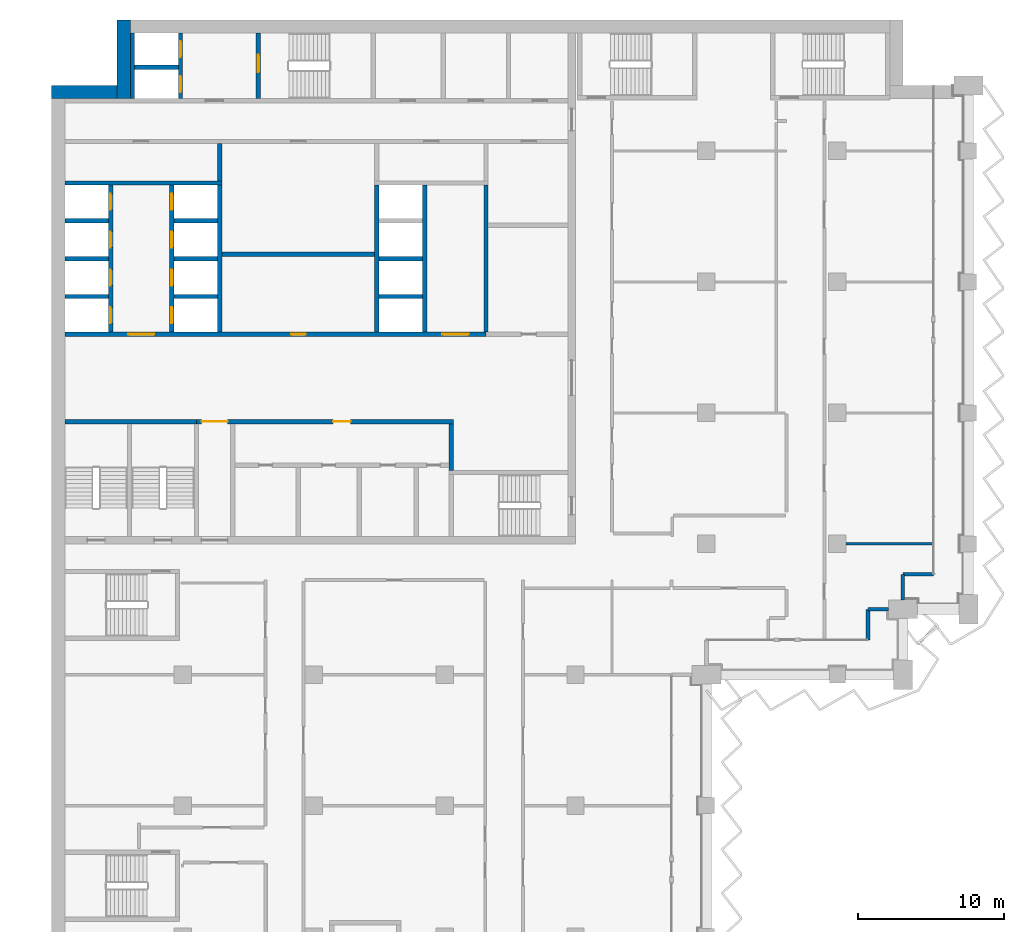
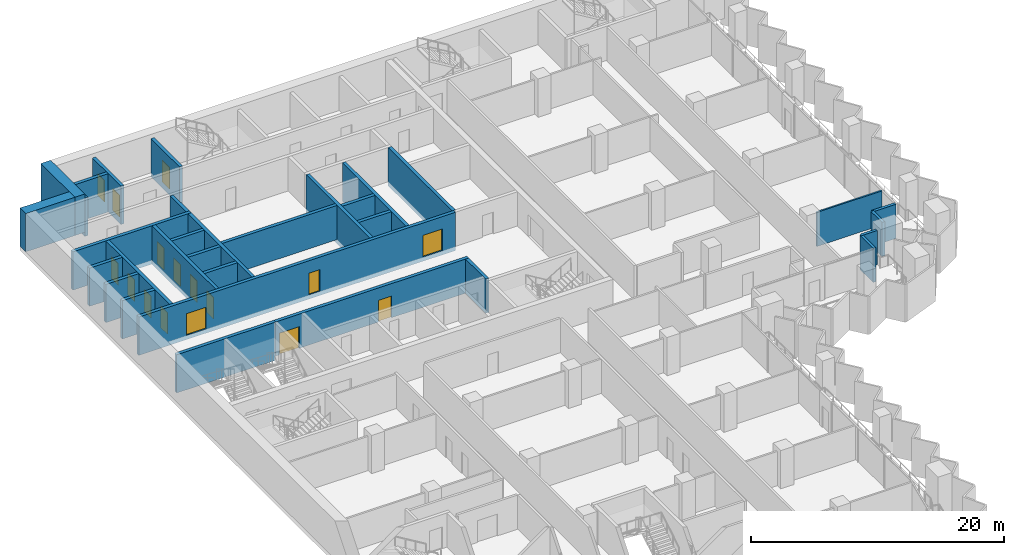
# One storey, part 12 of 22: 32 walls, 16 doors, 16 openings.
"""IFC4 building model written with IfcOpenShell, lengths in metres."""

from ifc_helpers import new_model, si_unit, direction, frame, frame_2d, origin, place, context, subcontext, project, spatial, rectangle, extrude, material, layer, layer_set, type_object, element, fill, save


model = new_model("IFC4")

# Units and contexts
model_context = context("Model", 3, precision=1e-05, world=origin(), true_north=direction((0.0, 1.0)))
body_context = subcontext(model_context, "Body", "Model", "MODEL_VIEW")
ifc_project = project(units=[si_unit("LENGTHUNIT", "METRE"), si_unit("AREAUNIT", "SQUARE_METRE"), si_unit("VOLUMEUNIT", "CUBIC_METRE"), si_unit("PLANEANGLEUNIT", "RADIAN"), si_unit("MASSUNIT", "GRAM", prefix="KILO")], contexts=[model_context])

# Site, building, storey
site_placement = place(None, origin())
site = spatial("IfcSite", under=ifc_project, at=site_placement, CompositionType="ELEMENT")
building_placement = place(site_placement, origin())
building = spatial("IfcBuilding", under=site, at=building_placement, Name="Hunhe Ridgeline Campus", CompositionType="ELEMENT")
storey_placement = place(building_placement, frame((0.0, 0.0, 163.39990234375)))
storey = spatial("IfcBuildingStorey", under=building, at=storey_placement, Name="L41", CompositionType="ELEMENT", Elevation=163.39990234375)

# Wall, openings, doors
ifc_material_1 = material(Name="Masonry concrete blockwork", Category="masonry")
ifc_layer_1 = layer(ifc_material_1, 0.300048828125)
ifc_layer_set_1 = layer_set([ifc_layer_1], Name="Core room partition 300 concrete block")
wall_type_1 = type_object("IfcWallType", Name="Core room partition 300 concrete block", PredefinedType="PARTITIONING", material=ifc_layer_set_1)
wall_1_placement = place(storey_placement, frame((9.949951171875, 71.39990234375, 0.0), z_axis=(0.0, 0.0, 1.0), x_axis=(1.0, 0.0, 0.0)))
wall_1 = element("IfcWall", 1, at=wall_1_placement, inside=storey, type_object=wall_type_1, Name="L41 core partition 11", PredefinedType="PARTITIONING", context=body_context, shape_type="SweptSolid", body=[
    extrude(rectangle(XDim=17.650146484375, YDim=0.300048828125, at=frame_2d((8.8251953125, 0.0))), origin(), (0.0, 0.0, 1.0), 3.300048828125),
])
opening_1_placement = place(wall_1_placement, frame((0.35009765625, 0.0, 0.0)))
opening_1 = element("IfcOpeningElement", 2, at=opening_1_placement, cuts=wall_1, Name="Opening CD7", PredefinedType="OPENING", context=body_context, shape_type="SweptSolid", body=[
    extrude(rectangle(XDim=1.800048828125, YDim=2.10009765625, at=frame_2d((0.89990234375, 1.050048828125))), frame((0.0, 0.14990234375, 0.0), z_axis=(0.0, -1.0, 0.0), x_axis=(1.0, 0.0, 0.0)), (0.0, 0.0, 1.0), 0.300048828125),
])
opening_2_placement = place(wall_1_placement, frame((9.39990234375, 0.0, 0.0)))
opening_2 = element("IfcOpeningElement", 3, at=opening_2_placement, cuts=wall_1, Name="Opening CD12", PredefinedType="OPENING", context=body_context, shape_type="SweptSolid", body=[
    extrude(rectangle(XDim=1.199951171875, YDim=2.10009765625, at=frame_2d((0.60009765625, 1.050048828125))), frame((0.0, 0.14990234375, 0.0), z_axis=(0.0, -1.0, 0.0), x_axis=(1.0, 0.0, 0.0)), (0.0, 0.0, 1.0), 0.300048828125),
])
ifc_material_2 = material(Name="Anodised aluminium and glass", Category="aluminium")
door_type_1 = type_object("IfcDoorType", Name="Glazed double door 1800x2100", OperationType="DOUBLE_DOOR_SINGLE_SWING", PredefinedType="DOOR", material=ifc_material_2)
door_1_placement = place(opening_1_placement, origin())
door_1 = element("IfcDoor", 4, at=door_1_placement, inside=storey, type_object=door_type_1, Name="L41 door VEST-HALL", OperationType="DOUBLE_DOOR_SINGLE_SWING", OverallHeight=2.10009765625, OverallWidth=1.800048828125, PredefinedType="DOOR", context=body_context, shape_type="SweptSolid", body=[
    extrude(rectangle(XDim=1.800048828125, YDim=2.10009765625, at=frame_2d((0.89990234375, 1.050048828125))), frame((0.0, 0.02490234375, 0.0), z_axis=(0.0, -1.0, 0.0), x_axis=(1.0, 0.0, 0.0)), (0.0, 0.0, 1.0), 0.050048828125),
])
fill(opening_1, door_1)
ifc_material_3 = material(Name="Solid core timber door leaf", Category="wood")
door_type_2 = type_object("IfcDoorType", Name="Timber door 1200x2100", OperationType="SINGLE_SWING_LEFT", PredefinedType="DOOR", material=ifc_material_3)
door_2_placement = place(opening_2_placement, origin())
door_2 = element("IfcDoor", 5, at=door_2_placement, inside=storey, type_object=door_type_2, Name="L41 door WCL2-HALL", OperationType="SINGLE_SWING_LEFT", OverallHeight=2.10009765625, OverallWidth=1.199951171875, PredefinedType="DOOR", context=body_context, shape_type="SweptSolid", body=[
    extrude(rectangle(XDim=1.199951171875, YDim=2.10009765625, at=frame_2d((0.60009765625, 1.050048828125))), frame((0.0, 0.02490234375, 0.0), z_axis=(0.0, -1.0, 0.0), x_axis=(1.0, 0.0, 0.0)), (0.0, 0.0, 1.0), 0.050048828125),
])
fill(opening_2, door_2)

# Walls
wall_2_placement = place(storey_placement, frame((11.699951171875, 82.89990234375, 0.0), z_axis=(0.0, 0.0, 1.0), x_axis=(1.0, 0.0, 0.0)))
element("IfcWall", 6, at=wall_2_placement, inside=storey, type_object=wall_type_1, Name="L41 core partition 20", PredefinedType="PARTITIONING", context=body_context, shape_type="SweptSolid", body=[
    extrude(rectangle(XDim=10.5, YDim=0.300048828125, at=frame_2d((5.25, 0.0))), origin(), (0.0, 0.0, 1.0), 3.300048828125),
])
wall_3_placement = place(storey_placement, frame((11.550048828125, 87.949951171875, 0.0), z_axis=(0.0, 0.0, 1.0), x_axis=(0.0, 1.0, 0.0)))
element("IfcWall", 7, at=wall_3_placement, inside=storey, type_object=wall_type_1, Name="L41 core partition 41", PredefinedType="PARTITIONING", context=body_context, shape_type="SweptSolid", body=[
    extrude(rectangle(XDim=2.550048828125, YDim=0.300048828125, at=frame_2d((1.27490234375, 0.0))), origin(), (0.0, 0.0, 1.0), 3.300048828125),
])
wall_4_placement = place(storey_placement, frame((27.449951171875, 68.050048828125, 0.0), z_axis=(0.0, 0.0, 1.0), x_axis=(0.0, 1.0, 0.0)))
element("IfcWall", 8, at=wall_4_placement, inside=storey, type_object=wall_type_1, Name="L41 core partition 55", PredefinedType="PARTITIONING", context=body_context, shape_type="SweptSolid", body=[
    extrude(rectangle(XDim=3.199951171875, YDim=0.300048828125, at=frame_2d((1.60009765625, 0.0))), origin(), (0.0, 0.0, 1.0), 3.300048828125),
])
ifc_material_4 = material(Name="Concrete C30", Category="concrete")
ifc_layer_2 = layer(ifc_material_4, 0.25)
ifc_layer_set_2 = layer_set([ifc_layer_2], Name="Corner return wall 250 Concrete C30")
wall_type_2 = type_object("IfcWallType", Name="Corner return wall 250 Concrete C30", PredefinedType="SOLIDWALL", material=ifc_layer_set_2)
wall_5_placement = place(storey_placement, frame((56.09912109375, 56.40087890625, 0.0), z_axis=(0.0, 0.0, 1.0), x_axis=(0.00011626555, 0.999999993241, 0.0)))
element("IfcWall", 9, at=wall_5_placement, inside=storey, type_object=wall_type_2, Name="Corner return wall 4", PredefinedType="SOLIDWALL", context=body_context, shape_type="SweptSolid", body=[
    extrude(rectangle(XDim=2.099853515625, YDim=0.25, at=frame_2d((1.0498046875, 0.0))), origin(), (0.0, 0.0, 1.0), 3.300048828125),
])
wall_6_placement = place(storey_placement, frame((56.099365234375, 58.500732421875, 0.0), z_axis=(0.0, 0.0, 1.0), x_axis=(0.999999984809, 0.000174307127, 0.0)))
element("IfcWall", 10, at=wall_6_placement, inside=storey, type_object=wall_type_2, Name="Corner return wall 5", PredefinedType="SOLIDWALL", context=body_context, shape_type="SweptSolid", body=[
    extrude(rectangle(XDim=1.400634765625, YDim=0.25, at=frame_2d((0.7001953125, 0.0))), origin(), (0.0, 0.0, 1.0), 3.300048828125),
])
wall_7_placement = place(storey_placement, frame((58.4990234375, 59.14990234375, 0.0), z_axis=(0.0, 0.0, 1.0), x_axis=(0.000139450563, 0.999999990277, 0.0)))
element("IfcWall", 11, at=wall_7_placement, inside=storey, type_object=wall_type_2, Name="Corner return wall 6", PredefinedType="SOLIDWALL", context=body_context, shape_type="SweptSolid", body=[
    extrude(rectangle(XDim=1.750732421875, YDim=0.25, at=frame_2d((0.87548828125, 0.0))), origin(), (0.0, 0.0, 1.0), 3.300048828125),
])
wall_8_placement = place(storey_placement, frame((58.499267578125, 60.900634765625, 0.0), z_axis=(0.0, 0.0, 1.0), x_axis=(0.999999993241, 0.00011626555, 0.0)))
element("IfcWall", 12, at=wall_8_placement, inside=storey, type_object=wall_type_2, Name="Corner return wall 7", PredefinedType="SOLIDWALL", context=body_context, shape_type="SweptSolid", body=[
    extrude(rectangle(XDim=2.099853515625, YDim=0.25, at=frame_2d((1.0498046875, 0.0))), origin(), (0.0, 0.0, 1.0), 3.300048828125),
])
ifc_material_5 = material(Name="Concrete C70", Category="concrete")
ifc_layer_3 = layer(ifc_material_5, 0.300048828125)
ifc_layer_set_3 = layer_set([ifc_layer_3], Name="Lobby wall 300 reinforced concrete C70")
wall_type_3 = type_object("IfcWallType", Name="Lobby wall 300 reinforced concrete C70", PredefinedType="SOLIDWALL", material=ifc_layer_set_3)
wall_9_placement = place(storey_placement, frame((29.85009765625, 77.550048828125, -0.39990234375), z_axis=(0.0, 0.0, 1.0), x_axis=(0.0, 1.0, 0.0)))
element("IfcWall", 13, at=wall_9_placement, inside=storey, type_object=wall_type_3, Name="L41 core wall 56", PredefinedType="SOLIDWALL", context=body_context, shape_type="SweptSolid", body=[
    extrude(rectangle(XDim=10.099853515625, YDim=0.300048828125, at=frame_2d((5.0498046875, 0.0))), origin(), (0.0, 0.0, 1.0), 3.699951171875),
])
ifc_material_6 = material(Name="Gypsum board partition")
ifc_layer_4 = layer(ifc_material_6, 0.14990234375)
ifc_layer_set_4 = layer_set([ifc_layer_4], Name="Room partition 150 gypsum board on steel studs")
wall_type_4 = type_object("IfcWallType", Name="Room partition 150 gypsum board on steel studs", PredefinedType="PARTITIONING", material=ifc_layer_set_4)
wall_10_placement = place(storey_placement, frame((54.60009765625, 63.0, 0.0), z_axis=(0.0, 0.0, 1.0), x_axis=(1.0, 0.0, 0.0)))
element("IfcWall", 14, at=wall_10_placement, inside=storey, type_object=wall_type_4, Name="F-L41-wall-042", PredefinedType="PARTITIONING", context=body_context, shape_type="SweptSolid", body=[
    extrude(rectangle(XDim=5.94482421875, YDim=0.14990234375, at=frame_2d((2.972412109375, 0.0))), origin(), (0.0, 0.0, 1.0), 3.300048828125),
])

# Wall, openings, doors
ifc_layer_5 = layer(ifc_material_5, 0.300048828125)
ifc_layer_set_5 = layer_set([ifc_layer_5], Name="Shaft wall 300 reinforced concrete C70")
wall_type_5 = type_object("IfcWallType", Name="Shaft wall 300 reinforced concrete C70", PredefinedType="SOLIDWALL", material=ifc_layer_set_5)
wall_11_placement = place(storey_placement, frame((0.89990234375, 77.39990234375, -0.39990234375), z_axis=(0.0, 0.0, 1.0), x_axis=(1.0, 0.0, 0.0)))
wall_11 = element("IfcWall", 15, at=wall_11_placement, inside=storey, type_object=wall_type_5, Name="L41 core wall 12", PredefinedType="SOLIDWALL", context=body_context, shape_type="SweptSolid", body=[
    extrude(rectangle(XDim=28.9501953125, YDim=0.300048828125, at=frame_2d((14.47509765625, 0.0))), origin(), (0.0, 0.0, 1.0), 3.699951171875),
])
opening_3_placement = place(wall_11_placement, frame((4.35009765625, 0.0, 0.39990234375)))
opening_3 = element("IfcOpeningElement", 16, at=opening_3_placement, cuts=wall_11, Name="Opening CD1", PredefinedType="OPENING", context=body_context, shape_type="SweptSolid", body=[
    extrude(rectangle(XDim=1.800048828125, YDim=2.10009765625, at=frame_2d((0.89990234375, 1.050048828125))), frame((0.0, 0.14990234375, 0.0), z_axis=(0.0, -1.0, 0.0), x_axis=(1.0, 0.0, 0.0)), (0.0, 0.0, 1.0), 0.300048828125),
])
opening_4_placement = place(wall_11_placement, frame((25.949951171875, 0.0, 0.39990234375)))
opening_4 = element("IfcOpeningElement", 17, at=opening_4_placement, cuts=wall_11, Name="Opening CD2", PredefinedType="OPENING", context=body_context, shape_type="SweptSolid", body=[
    extrude(rectangle(XDim=1.800048828125, YDim=2.10009765625, at=frame_2d((0.89990234375, 1.050048828125))), frame((0.0, 0.14990234375, 0.0), z_axis=(0.0, -1.0, 0.0), x_axis=(1.0, 0.0, 0.0)), (0.0, 0.0, 1.0), 0.300048828125),
])
opening_5_placement = place(wall_11_placement, frame((15.550048828125, 0.0, 0.39990234375)))
opening_5 = element("IfcOpeningElement", 18, at=opening_5_placement, cuts=wall_11, Name="Opening CD28", PredefinedType="OPENING", context=body_context, shape_type="SweptSolid", body=[
    extrude(rectangle(XDim=1.0, YDim=2.10009765625, at=frame_2d((0.5, 1.050048828125))), frame((0.0, 0.14990234375, 0.0), z_axis=(0.0, -1.0, 0.0), x_axis=(1.0, 0.0, 0.0)), (0.0, 0.0, 1.0), 0.300048828125),
])
ifc_material_7 = material(Name="Hollow metal fire door leaf")
door_type_3 = type_object("IfcDoorType", Name="Lobby door 1800x2100 FD60", OperationType="SINGLE_SWING_LEFT", PredefinedType="DOOR", material=ifc_material_7)
door_3_placement = place(opening_3_placement, frame((1.800048828125, 0.0, 0.0), z_axis=(0.0, 0.0, 1.0), x_axis=(-1.0, 0.0, 0.0)))
door_3 = element("IfcDoor", 19, at=door_3_placement, inside=storey, type_object=door_type_3, Name="L41 door LOB-LR", OperationType="SINGLE_SWING_RIGHT", OverallHeight=2.10009765625, OverallWidth=1.800048828125, PredefinedType="DOOR", context=body_context, shape_type="SweptSolid", body=[
    extrude(rectangle(XDim=1.800048828125, YDim=2.10009765625, at=frame_2d((0.89990234375, 1.050048828125))), frame((0.0, 0.02490234375, 0.0), z_axis=(0.0, -1.0, 0.0), x_axis=(1.0, 0.0, 0.0)), (0.0, 0.0, 1.0), 0.050048828125),
])
fill(opening_3, door_3)
door_4_placement = place(opening_4_placement, frame((1.800048828125, 0.0, 0.0), z_axis=(0.0, 0.0, 1.0), x_axis=(-1.0, 0.0, 0.0)))
door_4 = element("IfcDoor", 20, at=door_4_placement, inside=storey, type_object=door_type_3, Name="L41 door LOB-SH", OperationType="SINGLE_SWING_LEFT", OverallHeight=2.10009765625, OverallWidth=1.800048828125, PredefinedType="DOOR", context=body_context, shape_type="SweptSolid", body=[
    extrude(rectangle(XDim=1.800048828125, YDim=2.10009765625, at=frame_2d((0.89990234375, 1.050048828125))), frame((0.0, 0.02490234375, 0.0), z_axis=(0.0, -1.0, 0.0), x_axis=(1.0, 0.0, 0.0)), (0.0, 0.0, 1.0), 0.050048828125),
])
fill(opening_4, door_4)
door_type_4 = type_object("IfcDoorType", Name="Timber door 1000x2100", OperationType="SINGLE_SWING_LEFT", PredefinedType="DOOR", material=ifc_material_3)
door_5_placement = place(opening_5_placement, origin())
door_5 = element("IfcDoor", 21, at=door_5_placement, inside=storey, type_object=door_type_4, Name="L41 door VD-HR0", OperationType="SINGLE_SWING_RIGHT", OverallHeight=2.10009765625, OverallWidth=1.0, PredefinedType="DOOR", context=body_context, shape_type="SweptSolid", body=[
    extrude(rectangle(XDim=1.0, YDim=2.10009765625, at=frame_2d((0.5, 1.050048828125))), frame((0.0, 0.02490234375, 0.0), z_axis=(0.0, -1.0, 0.0), x_axis=(1.0, 0.0, 0.0)), (0.0, 0.0, 1.0), 0.050048828125),
])
fill(opening_5, door_5)

# Walls
for number, where, z_axis, x_axis, name in (
    (22, (0.89990234375, 80.0, -0.39990234375), (0.0, 0.0, 1.0), (1.0, 0.0, 0.0), "L41 core wall 14"),
    (23, (8.39990234375, 80.0, -0.39990234375), (0.0, 0.0, 1.0), (1.0, 0.0, 0.0), "L41 core wall 15"),
    (24, (22.5, 80.0, -0.39990234375), (0.0, 0.0, 1.0), (1.0, 0.0, 0.0), "L41 core wall 16"),
    (25, (0.89990234375, 82.60009765625, -0.39990234375), (0.0, 0.0, 1.0), (1.0, 0.0, 0.0), "L41 core wall 17"),
    (26, (8.39990234375, 82.60009765625, -0.39990234375), (0.0, 0.0, 1.0), (1.0, 0.0, 0.0), "L41 core wall 18"),
    (27, (22.5, 82.60009765625, -0.39990234375), (0.0, 0.0, 1.0), (1.0, 0.0, 0.0), "L41 core wall 19"),
    (28, (0.89990234375, 85.199951171875, -0.39990234375), (0.0, 0.0, 1.0), (1.0, 0.0, 0.0), "L41 core wall 22"),
    (29, (8.39990234375, 85.199951171875, -0.39990234375), (0.0, 0.0, 1.0), (1.0, 0.0, 0.0), "L41 core wall 23"),
):
    element("IfcWall", number, at=place(storey_placement, frame(where, z_axis=z_axis, x_axis=x_axis)), inside=storey, type_object=wall_type_5, Name=name, PredefinedType="SOLIDWALL", context=body_context, shape_type="SweptSolid", body=[
        extrude(rectangle(XDim=3.0, YDim=0.300048828125, at=frame_2d((1.5, 0.0))), origin(), (0.0, 0.0, 1.0), 3.699951171875),
    ])
wall_12_placement = place(storey_placement, frame((0.89990234375, 87.800048828125, -0.39990234375), z_axis=(0.0, 0.0, 1.0), x_axis=(1.0, 0.0, 0.0)))
element("IfcWall", 30, at=wall_12_placement, inside=storey, type_object=wall_type_5, Name="L41 core wall 25", PredefinedType="SOLIDWALL", context=body_context, shape_type="SweptSolid", body=[
    extrude(rectangle(XDim=10.800048828125, YDim=0.300048828125, at=frame_2d((5.39990234375, 0.0))), origin(), (0.0, 0.0, 1.0), 3.699951171875),
])
wall_13_placement = place(storey_placement, frame((5.699951171875, 95.75, -0.39990234375), z_axis=(0.0, 0.0, 1.0), x_axis=(1.0, 0.0, 0.0)))
element("IfcWall", 31, at=wall_13_placement, inside=storey, type_object=wall_type_5, Name="L41 core wall 31", PredefinedType="SOLIDWALL", context=body_context, shape_type="SweptSolid", body=[
    extrude(rectangle(XDim=3.0, YDim=0.300048828125, at=frame_2d((1.5, 0.0))), origin(), (0.0, 0.0, 1.0), 3.699951171875),
])

# Wall, openings, doors
wall_14_placement = place(storey_placement, frame((4.050048828125, 77.550048828125, -0.39990234375), z_axis=(0.0, 0.0, 1.0), x_axis=(0.0, 1.0, 0.0)))
wall_14 = element("IfcWall", 32, at=wall_14_placement, inside=storey, type_object=wall_type_5, Name="L41 core wall 32", PredefinedType="SOLIDWALL", context=body_context, shape_type="SweptSolid", body=[
    extrude(rectangle(XDim=10.099853515625, YDim=0.300048828125, at=frame_2d((5.0498046875, 0.0))), origin(), (0.0, 0.0, 1.0), 3.699951171875),
])
opening_6_placement = place(wall_14_placement, frame((0.60009765625, 0.0, 0.39990234375)))
opening_6 = element("IfcOpeningElement", 33, at=opening_6_placement, cuts=wall_14, Name="Opening LD-LR1", PredefinedType="OPENING", context=body_context, shape_type="SweptSolid", body=[
    extrude(rectangle(XDim=1.10009765625, YDim=2.10009765625, at=frame_2d((0.550048828125, 1.050048828125))), frame((0.0, 0.14990234375, 0.0), z_axis=(0.0, -1.0, 0.0), x_axis=(1.0, 0.0, 0.0)), (0.0, 0.0, 1.0), 0.300048828125),
])
opening_7_placement = place(wall_14_placement, frame((3.199951171875, 0.0, 0.39990234375)))
opening_7 = element("IfcOpeningElement", 34, at=opening_7_placement, cuts=wall_14, Name="Opening LD-LR2", PredefinedType="OPENING", context=body_context, shape_type="SweptSolid", body=[
    extrude(rectangle(XDim=1.10009765625, YDim=2.10009765625, at=frame_2d((0.550048828125, 1.050048828125))), frame((0.0, 0.14990234375, 0.0), z_axis=(0.0, -1.0, 0.0), x_axis=(1.0, 0.0, 0.0)), (0.0, 0.0, 1.0), 0.300048828125),
])
opening_8_placement = place(wall_14_placement, frame((5.800048828125, 0.0, 0.39990234375)))
opening_8 = element("IfcOpeningElement", 35, at=opening_8_placement, cuts=wall_14, Name="Opening LD-LR3", PredefinedType="OPENING", context=body_context, shape_type="SweptSolid", body=[
    extrude(rectangle(XDim=1.10009765625, YDim=2.10009765625, at=frame_2d((0.550048828125, 1.050048828125))), frame((0.0, 0.14990234375, 0.0), z_axis=(0.0, -1.0, 0.0), x_axis=(1.0, 0.0, 0.0)), (0.0, 0.0, 1.0), 0.300048828125),
])
opening_9_placement = place(wall_14_placement, frame((8.39990234375, 0.0, 0.39990234375)))
opening_9 = element("IfcOpeningElement", 36, at=opening_9_placement, cuts=wall_14, Name="Opening LD-LR4", PredefinedType="OPENING", context=body_context, shape_type="SweptSolid", body=[
    extrude(rectangle(XDim=1.10009765625, YDim=2.10009765625, at=frame_2d((0.550048828125, 1.050048828125))), frame((0.0, 0.14990234375, 0.0), z_axis=(0.0, -1.0, 0.0), x_axis=(1.0, 0.0, 0.0)), (0.0, 0.0, 1.0), 0.300048828125),
])
ifc_material_8 = material(Name="Stainless steel sliding leaves", Category="steel")
door_type_5 = type_object("IfcDoorType", Name="Landing door 1100x2100 FD120", OperationType="SLIDING_TO_LEFT", PredefinedType="DOOR", material=ifc_material_8)
door_6_placement = place(opening_6_placement, origin())
door_6 = element("IfcDoor", 37, at=door_6_placement, inside=storey, type_object=door_type_5, Name="L41 landing door LR1", OperationType="SLIDING_TO_RIGHT", OverallHeight=2.10009765625, OverallWidth=1.10009765625, PredefinedType="DOOR", context=body_context, shape_type="SweptSolid", body=[
    extrude(rectangle(XDim=1.10009765625, YDim=2.10009765625, at=frame_2d((0.550048828125, 1.050048828125))), frame((0.0, 0.02490234375, 0.0), z_axis=(0.0, -1.0, 0.0), x_axis=(1.0, 0.0, 0.0)), (0.0, 0.0, 1.0), 0.050048828125),
])
fill(opening_6, door_6)
door_7_placement = place(opening_7_placement, origin())
door_7 = element("IfcDoor", 38, at=door_7_placement, inside=storey, type_object=door_type_5, Name="L41 landing door LR2", OperationType="SLIDING_TO_LEFT", OverallHeight=2.10009765625, OverallWidth=1.10009765625, PredefinedType="DOOR", context=body_context, shape_type="SweptSolid", body=[
    extrude(rectangle(XDim=1.10009765625, YDim=2.10009765625, at=frame_2d((0.550048828125, 1.050048828125))), frame((0.0, 0.02490234375, 0.0), z_axis=(0.0, -1.0, 0.0), x_axis=(1.0, 0.0, 0.0)), (0.0, 0.0, 1.0), 0.050048828125),
])
fill(opening_7, door_7)
door_8_placement = place(opening_8_placement, origin())
door_8 = element("IfcDoor", 39, at=door_8_placement, inside=storey, type_object=door_type_5, Name="L41 landing door LR3", OperationType="SLIDING_TO_RIGHT", OverallHeight=2.10009765625, OverallWidth=1.10009765625, PredefinedType="DOOR", context=body_context, shape_type="SweptSolid", body=[
    extrude(rectangle(XDim=1.10009765625, YDim=2.10009765625, at=frame_2d((0.550048828125, 1.050048828125))), frame((0.0, 0.02490234375, 0.0), z_axis=(0.0, -1.0, 0.0), x_axis=(1.0, 0.0, 0.0)), (0.0, 0.0, 1.0), 0.050048828125),
])
fill(opening_8, door_8)
door_9_placement = place(opening_9_placement, origin())
door_9 = element("IfcDoor", 40, at=door_9_placement, inside=storey, type_object=door_type_5, Name="L41 landing door LR4", OperationType="SLIDING_TO_LEFT", OverallHeight=2.10009765625, OverallWidth=1.10009765625, PredefinedType="DOOR", context=body_context, shape_type="SweptSolid", body=[
    extrude(rectangle(XDim=1.10009765625, YDim=2.10009765625, at=frame_2d((0.550048828125, 1.050048828125))), frame((0.0, 0.02490234375, 0.0), z_axis=(0.0, -1.0, 0.0), x_axis=(1.0, 0.0, 0.0)), (0.0, 0.0, 1.0), 0.050048828125),
])
fill(opening_9, door_9)

# Wall
wall_15_placement = place(storey_placement, frame((5.550048828125, 93.60009765625, -0.39990234375), z_axis=(0.0, 0.0, 1.0), x_axis=(0.0, 1.0, 0.0)))
element("IfcWall", 41, at=wall_15_placement, inside=storey, type_object=wall_type_5, Name="L41 core wall 34", PredefinedType="SOLIDWALL", context=body_context, shape_type="SweptSolid", body=[
    extrude(rectangle(XDim=4.5, YDim=0.300048828125, at=frame_2d((2.25, 0.0))), origin(), (0.0, 0.0, 1.0), 3.699951171875),
])

# Wall, openings, doors
wall_16_placement = place(storey_placement, frame((8.25, 77.550048828125, -0.39990234375), z_axis=(0.0, 0.0, 1.0), x_axis=(0.0, 1.0, 0.0)))
wall_16 = element("IfcWall", 42, at=wall_16_placement, inside=storey, type_object=wall_type_5, Name="L41 core wall 35", PredefinedType="SOLIDWALL", context=body_context, shape_type="SweptSolid", body=[
    extrude(rectangle(XDim=10.099853515625, YDim=0.300048828125, at=frame_2d((5.0498046875, 0.0))), origin(), (0.0, 0.0, 1.0), 3.699951171875),
])
opening_10_placement = place(wall_16_placement, frame((0.60009765625, 0.0, 0.39990234375)))
opening_10 = element("IfcOpeningElement", 43, at=opening_10_placement, cuts=wall_16, Name="Opening LD-LR5", PredefinedType="OPENING", context=body_context, shape_type="SweptSolid", body=[
    extrude(rectangle(XDim=1.10009765625, YDim=2.10009765625, at=frame_2d((0.550048828125, 1.050048828125))), frame((0.0, 0.14990234375, 0.0), z_axis=(0.0, -1.0, 0.0), x_axis=(1.0, 0.0, 0.0)), (0.0, 0.0, 1.0), 0.300048828125),
])
opening_11_placement = place(wall_16_placement, frame((3.199951171875, 0.0, 0.39990234375)))
opening_11 = element("IfcOpeningElement", 44, at=opening_11_placement, cuts=wall_16, Name="Opening LD-LR6", PredefinedType="OPENING", context=body_context, shape_type="SweptSolid", body=[
    extrude(rectangle(XDim=1.10009765625, YDim=2.10009765625, at=frame_2d((0.550048828125, 1.050048828125))), frame((0.0, 0.14990234375, 0.0), z_axis=(0.0, -1.0, 0.0), x_axis=(1.0, 0.0, 0.0)), (0.0, 0.0, 1.0), 0.300048828125),
])
opening_12_placement = place(wall_16_placement, frame((5.800048828125, 0.0, 0.39990234375)))
opening_12 = element("IfcOpeningElement", 45, at=opening_12_placement, cuts=wall_16, Name="Opening LD-LR7", PredefinedType="OPENING", context=body_context, shape_type="SweptSolid", body=[
    extrude(rectangle(XDim=1.10009765625, YDim=2.10009765625, at=frame_2d((0.550048828125, 1.050048828125))), frame((0.0, 0.14990234375, 0.0), z_axis=(0.0, -1.0, 0.0), x_axis=(1.0, 0.0, 0.0)), (0.0, 0.0, 1.0), 0.300048828125),
])
opening_13_placement = place(wall_16_placement, frame((8.39990234375, 0.0, 0.39990234375)))
opening_13 = element("IfcOpeningElement", 46, at=opening_13_placement, cuts=wall_16, Name="Opening LD-LR8", PredefinedType="OPENING", context=body_context, shape_type="SweptSolid", body=[
    extrude(rectangle(XDim=1.10009765625, YDim=2.10009765625, at=frame_2d((0.550048828125, 1.050048828125))), frame((0.0, 0.14990234375, 0.0), z_axis=(0.0, -1.0, 0.0), x_axis=(1.0, 0.0, 0.0)), (0.0, 0.0, 1.0), 0.300048828125),
])
door_10_placement = place(opening_10_placement, origin())
door_10 = element("IfcDoor", 47, at=door_10_placement, inside=storey, type_object=door_type_5, Name="L41 landing door LR5", OperationType="SLIDING_TO_RIGHT", OverallHeight=2.10009765625, OverallWidth=1.10009765625, PredefinedType="DOOR", context=body_context, shape_type="SweptSolid", body=[
    extrude(rectangle(XDim=1.10009765625, YDim=2.10009765625, at=frame_2d((0.550048828125, 1.050048828125))), frame((0.0, 0.02490234375, 0.0), z_axis=(0.0, -1.0, 0.0), x_axis=(1.0, 0.0, 0.0)), (0.0, 0.0, 1.0), 0.050048828125),
])
fill(opening_10, door_10)
door_11_placement = place(opening_11_placement, origin())
door_11 = element("IfcDoor", 48, at=door_11_placement, inside=storey, type_object=door_type_5, Name="L41 landing door LR6", OperationType="SLIDING_TO_LEFT", OverallHeight=2.10009765625, OverallWidth=1.10009765625, PredefinedType="DOOR", context=body_context, shape_type="SweptSolid", body=[
    extrude(rectangle(XDim=1.10009765625, YDim=2.10009765625, at=frame_2d((0.550048828125, 1.050048828125))), frame((0.0, 0.02490234375, 0.0), z_axis=(0.0, -1.0, 0.0), x_axis=(1.0, 0.0, 0.0)), (0.0, 0.0, 1.0), 0.050048828125),
])
fill(opening_11, door_11)
door_12_placement = place(opening_12_placement, origin())
door_12 = element("IfcDoor", 49, at=door_12_placement, inside=storey, type_object=door_type_5, Name="L41 landing door LR7", OperationType="SLIDING_TO_RIGHT", OverallHeight=2.10009765625, OverallWidth=1.10009765625, PredefinedType="DOOR", context=body_context, shape_type="SweptSolid", body=[
    extrude(rectangle(XDim=1.10009765625, YDim=2.10009765625, at=frame_2d((0.550048828125, 1.050048828125))), frame((0.0, 0.02490234375, 0.0), z_axis=(0.0, -1.0, 0.0), x_axis=(1.0, 0.0, 0.0)), (0.0, 0.0, 1.0), 0.050048828125),
])
fill(opening_12, door_12)
door_13_placement = place(opening_13_placement, origin())
door_13 = element("IfcDoor", 50, at=door_13_placement, inside=storey, type_object=door_type_5, Name="L41 landing door LR8", OperationType="SLIDING_TO_LEFT", OverallHeight=2.10009765625, OverallWidth=1.10009765625, PredefinedType="DOOR", context=body_context, shape_type="SweptSolid", body=[
    extrude(rectangle(XDim=1.10009765625, YDim=2.10009765625, at=frame_2d((0.550048828125, 1.050048828125))), frame((0.0, 0.02490234375, 0.0), z_axis=(0.0, -1.0, 0.0), x_axis=(1.0, 0.0, 0.0)), (0.0, 0.0, 1.0), 0.050048828125),
])
fill(opening_13, door_13)

wall_17_placement = place(storey_placement, frame((8.85009765625, 93.60009765625, -0.39990234375), z_axis=(0.0, 0.0, 1.0), x_axis=(0.0, 1.0, 0.0)))
wall_17 = element("IfcWall", 51, at=wall_17_placement, inside=storey, type_object=wall_type_5, Name="L41 core wall 38", PredefinedType="SOLIDWALL", context=body_context, shape_type="SweptSolid", body=[
    extrude(rectangle(XDim=4.5, YDim=0.300048828125, at=frame_2d((2.25, 0.0))), origin(), (0.0, 0.0, 1.0), 3.699951171875),
])
opening_14_placement = place(wall_17_placement, frame((0.449951171875, 0.0, 0.39990234375)))
opening_14 = element("IfcOpeningElement", 52, at=opening_14_placement, cuts=wall_17, Name="Opening LD-FF1", PredefinedType="OPENING", context=body_context, shape_type="SweptSolid", body=[
    extrude(rectangle(XDim=1.10009765625, YDim=2.10009765625, at=frame_2d((0.550048828125, 1.050048828125))), frame((0.0, 0.14990234375, 0.0), z_axis=(0.0, -1.0, 0.0), x_axis=(1.0, 0.0, 0.0)), (0.0, 0.0, 1.0), 0.300048828125),
])
opening_15_placement = place(wall_17_placement, frame((2.85009765625, 0.0, 0.39990234375)))
opening_15 = element("IfcOpeningElement", 53, at=opening_15_placement, cuts=wall_17, Name="Opening LD-FF2", PredefinedType="OPENING", context=body_context, shape_type="SweptSolid", body=[
    extrude(rectangle(XDim=1.10009765625, YDim=2.10009765625, at=frame_2d((0.550048828125, 1.050048828125))), frame((0.0, 0.14990234375, 0.0), z_axis=(0.0, -1.0, 0.0), x_axis=(1.0, 0.0, 0.0)), (0.0, 0.0, 1.0), 0.300048828125),
])
door_14_placement = place(opening_14_placement, origin())
door_14 = element("IfcDoor", 54, at=door_14_placement, inside=storey, type_object=door_type_5, Name="L41 landing door FF1", OperationType="SLIDING_TO_RIGHT", OverallHeight=2.10009765625, OverallWidth=1.10009765625, PredefinedType="DOOR", context=body_context, shape_type="SweptSolid", body=[
    extrude(rectangle(XDim=1.10009765625, YDim=2.10009765625, at=frame_2d((0.550048828125, 1.050048828125))), frame((0.0, 0.02490234375, 0.0), z_axis=(0.0, -1.0, 0.0), x_axis=(1.0, 0.0, 0.0)), (0.0, 0.0, 1.0), 0.050048828125),
])
fill(opening_14, door_14)
door_15_placement = place(opening_15_placement, origin())
door_15 = element("IfcDoor", 55, at=door_15_placement, inside=storey, type_object=door_type_5, Name="L41 landing door FF2", OperationType="SLIDING_TO_LEFT", OverallHeight=2.10009765625, OverallWidth=1.10009765625, PredefinedType="DOOR", context=body_context, shape_type="SweptSolid", body=[
    extrude(rectangle(XDim=1.10009765625, YDim=2.10009765625, at=frame_2d((0.550048828125, 1.050048828125))), frame((0.0, 0.02490234375, 0.0), z_axis=(0.0, -1.0, 0.0), x_axis=(1.0, 0.0, 0.0)), (0.0, 0.0, 1.0), 0.050048828125),
])
fill(opening_15, door_15)

# Walls
for number, where, z_axis, x_axis, name in (
    (56, (11.550048828125, 77.550048828125, -0.39990234375), (0.0, 0.0, 1.0), (0.0, 1.0, 0.0), "L41 core wall 40"),
    (57, (22.35009765625, 77.550048828125, -0.39990234375), (0.0, 0.0, 1.0), (0.0, 1.0, 0.0), "L41 core wall 48"),
    (58, (25.64990234375, 77.550048828125, -0.39990234375), (0.0, 0.0, 1.0), (0.0, 1.0, 0.0), "L41 core wall 52"),
):
    element("IfcWall", number, at=place(storey_placement, frame(where, z_axis=z_axis, x_axis=x_axis)), inside=storey, type_object=wall_type_5, Name=name, PredefinedType="SOLIDWALL", context=body_context, shape_type="SweptSolid", body=[
        extrude(rectangle(XDim=10.099853515625, YDim=0.300048828125, at=frame_2d((5.0498046875, 0.0))), origin(), (0.0, 0.0, 1.0), 3.699951171875),
    ])
ifc_layer_6 = layer(ifc_material_5, 0.89990234375)
ifc_layer_set_6 = layer_set([ifc_layer_6], Name="Spine wall 900 Concrete C70")
wall_type_6 = type_object("IfcWallType", Name="Spine wall 900 Concrete C70", PredefinedType="SHEAR", material=ifc_layer_set_6)
for number, where, z_axis, x_axis, name in (
    (59, (4.949951171875, 99.0, 0.0), (0.0, 0.0, 1.0), (0.0, -1.0, 0.0), "Spine wall SW2-5 L41"),
    (60, (5.400146484375, 94.050048828125, 0.0), (0.0, 0.0, 1.0), (-1.0, 0.0, 0.0), "Spine wall SW2-6 L41"),
):
    element("IfcWall", number, at=place(storey_placement, frame(where, z_axis=z_axis, x_axis=x_axis)), inside=storey, type_object=wall_type_6, Name=name, PredefinedType="SHEAR", context=body_context, shape_type="SweptSolid", body=[
        extrude(rectangle(XDim=5.400146484375, YDim=0.89990234375, at=frame_2d((2.7001953125, 0.0))), origin(), (0.0, 0.0, 1.0), 3.7001953125),
    ])
ifc_layer_7 = layer(ifc_material_5, 0.300048828125)
ifc_layer_set_7 = layer_set([ifc_layer_7], Name="Stair wall 300 reinforced concrete C70")
wall_type_7 = type_object("IfcWallType", Name="Stair wall 300 reinforced concrete C70", PredefinedType="SOLIDWALL", material=ifc_layer_set_7)
wall_18_placement = place(storey_placement, frame((0.89990234375, 71.39990234375, -0.39990234375), z_axis=(0.0, 0.0, 1.0), x_axis=(1.0, 0.0, 0.0)))
element("IfcWall", 61, at=wall_18_placement, inside=storey, type_object=wall_type_7, Name="L41 core wall 10", PredefinedType="SOLIDWALL", context=body_context, shape_type="SweptSolid", body=[
    extrude(rectangle(XDim=9.050048828125, YDim=0.300048828125, at=frame_2d((4.52490234375, 0.0))), origin(), (0.0, 0.0, 1.0), 3.699951171875),
])

# Wall, opening, door
wall_19_placement = place(storey_placement, frame((14.199951171875, 93.60009765625, -0.39990234375), z_axis=(0.0, 0.0, 1.0), x_axis=(0.0, 1.0, 0.0)))
wall_19 = element("IfcWall", 62, at=wall_19_placement, inside=storey, type_object=wall_type_7, Name="L41 core wall 43", PredefinedType="SOLIDWALL", context=body_context, shape_type="SweptSolid", body=[
    extrude(rectangle(XDim=4.5, YDim=0.300048828125, at=frame_2d((2.25, 0.0))), origin(), (0.0, 0.0, 1.0), 3.699951171875),
])
opening_16_placement = place(wall_19_placement, frame((1.800048828125, 0.0, 0.39990234375)))
opening_16 = element("IfcOpeningElement", 63, at=opening_16_placement, cuts=wall_19, Name="Opening CD16", PredefinedType="OPENING", context=body_context, shape_type="SweptSolid", body=[
    extrude(rectangle(XDim=1.199951171875, YDim=2.10009765625, at=frame_2d((0.60009765625, 1.050048828125))), frame((0.0, 0.14990234375, 0.0), z_axis=(0.0, -1.0, 0.0), x_axis=(1.0, 0.0, 0.0)), (0.0, 0.0, 1.0), 0.300048828125),
])
door_type_6 = type_object("IfcDoorType", Name="Stair door 1200x2100 FD60", OperationType="SINGLE_SWING_LEFT", PredefinedType="DOOR", material=ifc_material_7)
door_16_placement = place(opening_16_placement, origin())
door_16 = element("IfcDoor", 64, at=door_16_placement, inside=storey, type_object=door_type_6, Name="L41 door S1-FF", OperationType="SINGLE_SWING_LEFT", OverallHeight=2.10009765625, OverallWidth=1.199951171875, PredefinedType="DOOR", context=body_context, shape_type="SweptSolid", body=[
    extrude(rectangle(XDim=1.199951171875, YDim=2.10009765625, at=frame_2d((0.60009765625, 1.050048828125))), frame((0.0, 0.02490234375, 0.0), z_axis=(0.0, -1.0, 0.0), x_axis=(1.0, 0.0, 0.0)), (0.0, 0.0, 1.0), 0.050048828125),
])
fill(opening_16, door_16)

save(model, "model.ifc")
